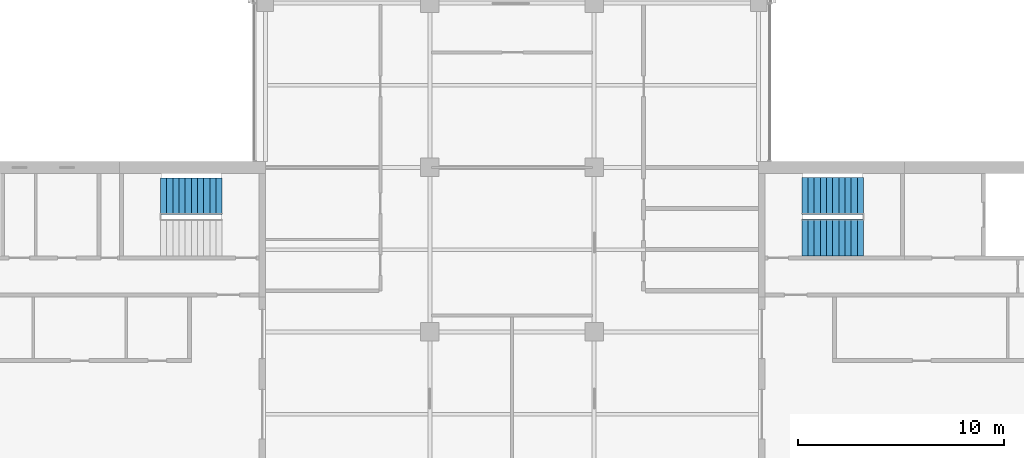
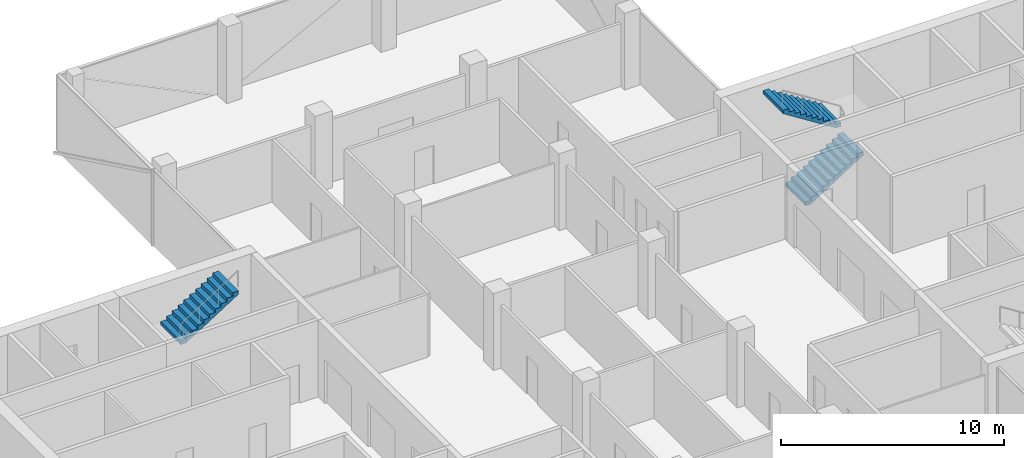
# One storey, part 13 of 16: 3 stair flights, 2 elements without a shape of their own.
"""IFC4 building model written with IfcOpenShell, lengths in metres."""

from ifc_helpers import new_model, si_unit, direction, frame, origin, place, context, subcontext, project, spatial, polyline, outline, extrude, material, type_object, element, aggregate, save


model = new_model("IFC4")

# Units and contexts
model_context = context("Model", 3, precision=1e-05, world=origin(), true_north=direction((0.0, 1.0)))
body_context = subcontext(model_context, "Body", "Model", "MODEL_VIEW")
ifc_project = project(units=[si_unit("LENGTHUNIT", "METRE"), si_unit("AREAUNIT", "SQUARE_METRE"), si_unit("VOLUMEUNIT", "CUBIC_METRE"), si_unit("PLANEANGLEUNIT", "RADIAN"), si_unit("MASSUNIT", "GRAM", prefix="KILO")], contexts=[model_context])

# Site, building, storey
site_placement = place(None, origin())
site = spatial("IfcSite", under=ifc_project, at=site_placement, CompositionType="ELEMENT")
building_placement = place(site_placement, origin())
building = spatial("IfcBuilding", under=site, at=building_placement, Name="Crosswind Convention Tower", CompositionType="ELEMENT")
storey_placement = place(building_placement, frame((0.0, 0.0, 208.300048828125)))
storey = spatial("IfcBuildingStorey", under=building, at=storey_placement, Name="L44", CompositionType="ELEMENT", Elevation=208.300048828125)

# Stair, stair flights
ifc_material = material(Name="Concrete C40/50", Category="concrete")
stair_type = type_object("IfcStairType", Name="Exit stair 1800 wide, 2 flights of 11 risers", PredefinedType="HALF_TURN_STAIR", material=ifc_material)
stair_1_placement = place(storey_placement, origin())
stair_1 = element("IfcStair", 1, at=stair_1_placement, inside=storey, type_object=stair_type, Name="Exit stair ST1 L44", ObjectType="ST5", PredefinedType="HALF_TURN_STAIR")
stair_flight_type = type_object("IfcStairFlightType", Name="Stair flight 1800 wide, 11 risers (SF4)", PredefinedType="STRAIGHT", material=ifc_material)
stair_flight_1_placement = place(storey_placement, frame((139.10009765625, 108.60009765625, 0.0), z_axis=(0.0, 0.0, 1.0), x_axis=(1.0, 0.0, 0.0)))
stair_flight_1 = element("IfcStairFlight", 2, at=stair_flight_1_placement, type_object=stair_flight_type, Name="ST1 flight 1", NumberOfRisers=11, NumberOfTreads=10, PredefinedType="STRAIGHT", RiserHeight=0.190909091, TreadLength=0.3, context=body_context, shape_type="SweptSolid", body=[
    extrude(outline(polyline([(0.0, 0.0), (0.0, 0.19091796875), (0.300048828125, 0.19091796875), (0.300048828125, 0.3818359375), (0.60009765625, 0.3818359375), (0.60009765625, 0.57275390625), (0.89990234375, 0.57275390625), (0.89990234375, 0.763671875), (1.199951171875, 0.763671875), (1.199951171875, 0.95458984375), (1.5, 0.95458984375), (1.5, 1.1455078125), (1.800048828125, 1.1455078125), (1.800048828125, 1.33642578125), (2.10009765625, 1.33642578125), (2.10009765625, 1.52734375), (2.39990234375, 1.52734375), (2.39990234375, 1.71826171875), (2.699951171875, 1.71826171875), (2.699951171875, 1.9091796875), (3.0, 1.9091796875), (3.0, 2.10009765625), (3.0, 1.7314453125), (0.279296875, 0.0), (0.0, 0.0)])), frame((0.0, 0.89990234375, 0.0), z_axis=(0.0, -1.0, 0.0), x_axis=(1.0, 0.0, 0.0)), (0.0, 0.0, 1.0), 1.800048828125),
])
stair_flight_2_placement = place(storey_placement, frame((142.10009765625, 110.60009765625, 2.099853515625), z_axis=(0.0, 0.0, 1.0), x_axis=(-1.0, 0.0, 0.0)))
stair_flight_2 = element("IfcStairFlight", 3, at=stair_flight_2_placement, type_object=stair_flight_type, Name="ST1 flight 2", NumberOfRisers=11, NumberOfTreads=10, PredefinedType="STRAIGHT", RiserHeight=0.190909091, TreadLength=0.3, context=body_context, shape_type="SweptSolid", body=[
    extrude(outline(polyline([(0.0, 0.0), (0.0, 0.19091796875), (0.300048828125, 0.19091796875), (0.300048828125, 0.3818359375), (0.60009765625, 0.3818359375), (0.60009765625, 0.57275390625), (0.89990234375, 0.57275390625), (0.89990234375, 0.763671875), (1.199951171875, 0.763671875), (1.199951171875, 0.95458984375), (1.5, 0.95458984375), (1.5, 1.1455078125), (1.800048828125, 1.1455078125), (1.800048828125, 1.33642578125), (2.10009765625, 1.33642578125), (2.10009765625, 1.52734375), (2.39990234375, 1.52734375), (2.39990234375, 1.71826171875), (2.699951171875, 1.71826171875), (2.699951171875, 1.9091796875), (3.0, 1.9091796875), (3.0, 2.10009765625), (3.0, 1.7314453125), (0.279296875, 0.0), (0.0, 0.0)])), frame((0.0, 0.89990234375, 0.0), z_axis=(0.0, -1.0, 0.0), x_axis=(1.0, 0.0, 0.0)), (0.0, 0.0, 1.0), 1.800048828125),
])
aggregate(stair_1, [stair_flight_1, stair_flight_2])

# Stair, stair flight
stair_2_placement = place(storey_placement, origin())
stair_2 = element("IfcStair", 4, at=stair_2_placement, inside=storey, type_object=stair_type, Name="Exit stair ST4 L44", ObjectType="ST5", PredefinedType="HALF_TURN_STAIR")
stair_flight_3_placement = place(storey_placement, frame((107.89990234375, 110.60009765625, 2.099853515625), z_axis=(0.0, 0.0, 1.0), x_axis=(1.0, 0.0, 0.0)))
stair_flight_3 = element("IfcStairFlight", 5, at=stair_flight_3_placement, type_object=stair_flight_type, Name="ST4 flight 2", NumberOfRisers=11, NumberOfTreads=10, PredefinedType="STRAIGHT", RiserHeight=0.190909091, TreadLength=0.3, context=body_context, shape_type="SweptSolid", body=[
    extrude(outline(polyline([(0.0, 0.0), (0.0, 0.19091796875), (0.300048828125, 0.19091796875), (0.300048828125, 0.3818359375), (0.60009765625, 0.3818359375), (0.60009765625, 0.57275390625), (0.89990234375, 0.57275390625), (0.89990234375, 0.763671875), (1.199951171875, 0.763671875), (1.199951171875, 0.95458984375), (1.5, 0.95458984375), (1.5, 1.1455078125), (1.800048828125, 1.1455078125), (1.800048828125, 1.33642578125), (2.10009765625, 1.33642578125), (2.10009765625, 1.52734375), (2.39990234375, 1.52734375), (2.39990234375, 1.71826171875), (2.699951171875, 1.71826171875), (2.699951171875, 1.9091796875), (3.0, 1.9091796875), (3.0, 2.10009765625), (3.0, 1.7314453125), (0.279296875, 0.0), (0.0, 0.0)])), frame((0.0, 0.89990234375, 0.0), z_axis=(0.0, -1.0, 0.0), x_axis=(1.0, 0.0, 0.0)), (0.0, 0.0, 1.0), 1.800048828125),
])
aggregate(stair_2, [stair_flight_3])

save(model, "model.ifc")
